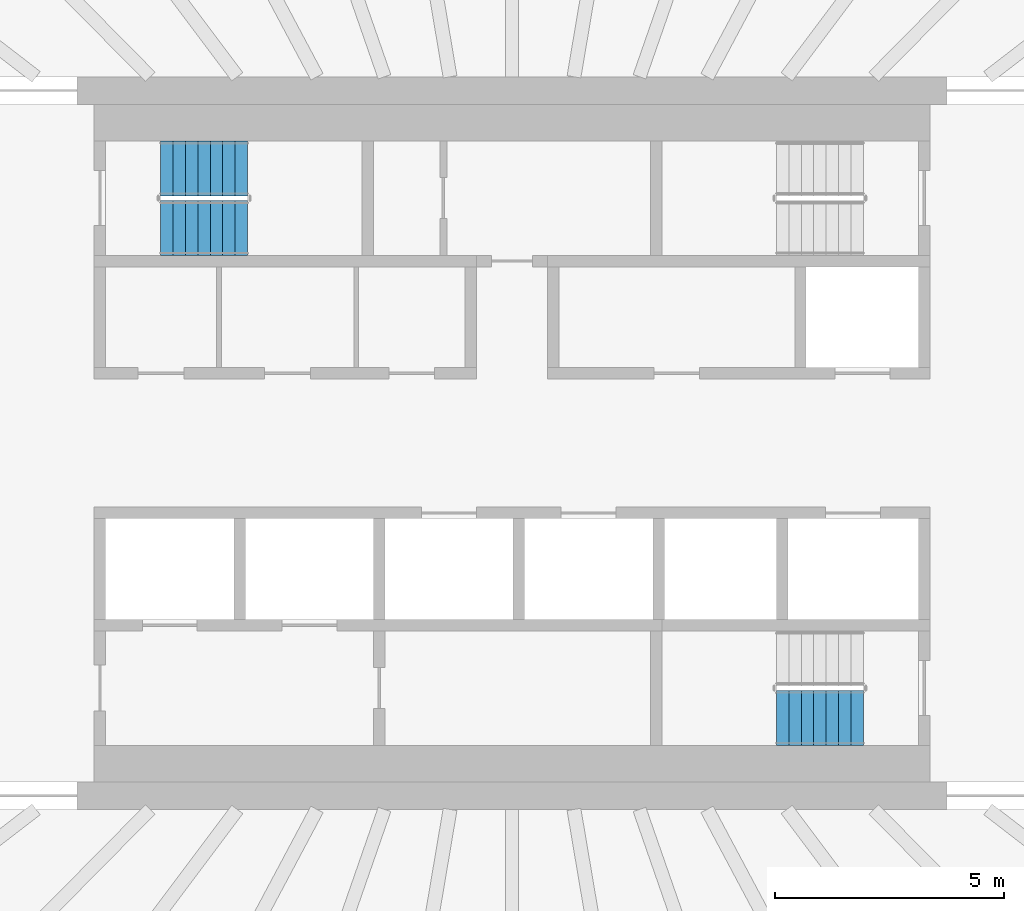
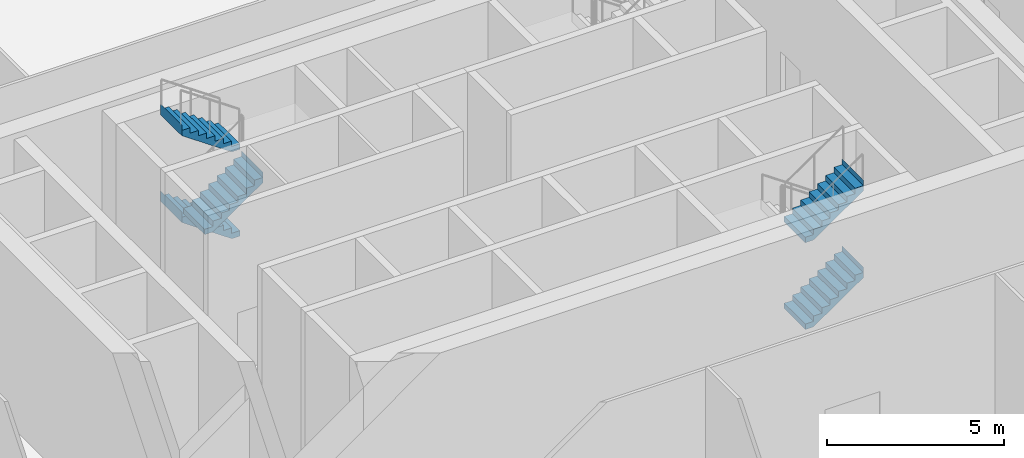
# One storey, part 30 of 37: 5 stair flights, 2 elements without a shape of their own.
"""IFC4 building model written with IfcOpenShell, lengths in metres."""

from ifc_helpers import new_model, si_unit, direction, frame, origin, place, context, subcontext, project, spatial, triangles, material, type_object, element, aggregate, save


model = new_model("IFC4")

# Units and contexts
model_context = context("Model", 3, precision=1e-05, world=origin(), true_north=direction((0.0, 1.0)))
body_context = subcontext(model_context, "Body", "Model", "MODEL_VIEW")
ifc_project = project(units=[si_unit("LENGTHUNIT", "METRE"), si_unit("AREAUNIT", "SQUARE_METRE"), si_unit("VOLUMEUNIT", "CUBIC_METRE"), si_unit("PLANEANGLEUNIT", "RADIAN"), si_unit("MASSUNIT", "GRAM", prefix="KILO")], contexts=[model_context])

# Site, building, storey
site_placement = place(None, origin())
site = spatial("IfcSite", under=ifc_project, at=site_placement, CompositionType="ELEMENT")
building_placement = place(site_placement, origin())
building = spatial("IfcBuilding", under=site, at=building_placement, Name="Sahrelin Media Tower", CompositionType="ELEMENT")
storey_placement = place(building_placement, frame((0.0, 0.0, 31.39990234375)))
storey = spatial("IfcBuildingStorey", under=building, at=storey_placement, Name="L04", CompositionType="ELEMENT", Elevation=31.39990234375)

# Stair, stair flights
ifc_material = material(Name="Concrete C40/50", Category="concrete")
stair_type = type_object("IfcStairType", Name="Exit stair 1200", PredefinedType="HALF_TURN_STAIR", material=ifc_material)
placement = place(storey_placement, origin())
stair_1 = element("IfcStair", 1, at=placement, inside=storey, type_object=stair_type, Name="L04 Exit stair ST1", PredefinedType="HALF_TURN_STAIR")
stair_flight_type = type_object("IfcStairFlightType", Name="Stair flight 1200", PredefinedType="STRAIGHT", material=ifc_material)
stair_flight_1_placement = place(storey_placement, frame((-5.77490234375, 6.0, 1.5), z_axis=(0.0, 0.0, 1.0), x_axis=(-1.0, 0.0, 0.0)))
stair_flight_1 = element("IfcStairFlight", 2, at=stair_flight_1_placement, type_object=stair_flight_type, Name="ST1 flight 2", NumberOfRisers=8, NumberOfTreads=7, PredefinedType="STRAIGHT", RiserHeight=0.1875, TreadLength=0.271428571, context=body_context, shape_type="Tessellation", body=[
    triangles([(0.263671875, 0.60009765625, 0.0), (0.263671875, 0.300048828125, 0.0), (0.263671875, 0.0, 0.0), (0.263671875, -0.300048828125, 0.0), (0.263671875, -0.60009765625, 0.0), (1.89990234375, 0.60009765625, 1.13037109375), (1.89990234375, 0.300048828125, 1.13037109375), (1.89990234375, 0.0, 1.13037109375), (1.89990234375, -0.300048828125, 1.13037109375), (1.89990234375, -0.60009765625, 1.13037109375), (1.89990234375, 0.60009765625, 1.5), (1.89990234375, 0.300048828125, 1.5), (1.89990234375, 0.0, 1.5), (1.89990234375, -0.300048828125, 1.5), (1.89990234375, -0.60009765625, 1.5), (1.89794921875, 0.60009765625, 1.5), (1.89794921875, 0.300048828125, 1.5), (1.89794921875, 0.0, 1.5), (1.89794921875, -0.300048828125, 1.5), (1.89794921875, -0.60009765625, 1.5), (1.89794921875, 0.60009765625, 1.3125), (1.89794921875, 0.300048828125, 1.3125), (1.89794921875, 0.0, 1.3125), (1.89794921875, -0.300048828125, 1.3125), (1.89794921875, -0.60009765625, 1.3125), (1.628662109375, 0.60009765625, 1.3125), (1.628662109375, 0.300048828125, 1.3125), (1.628662109375, 0.0, 1.3125), (1.628662109375, -0.300048828125, 1.3125), (1.628662109375, -0.60009765625, 1.3125), (1.628662109375, 0.60009765625, 1.125), (1.628662109375, 0.300048828125, 1.125), (1.628662109375, 0.0, 1.125), (1.628662109375, -0.300048828125, 1.125), (1.628662109375, -0.60009765625, 1.125), (1.357177734375, 0.60009765625, 1.125), (1.357177734375, 0.300048828125, 1.125), (1.357177734375, 0.0, 1.125), (1.357177734375, -0.300048828125, 1.125), (1.357177734375, -0.60009765625, 1.125), (1.357177734375, 0.60009765625, 0.9375), (1.357177734375, 0.300048828125, 0.9375), (1.357177734375, 0.0, 0.9375), (1.357177734375, -0.300048828125, 0.9375), (1.357177734375, -0.60009765625, 0.9375), (1.085693359375, 0.60009765625, 0.9375), (1.085693359375, 0.300048828125, 0.9375), (1.085693359375, 0.0, 0.9375), (1.085693359375, -0.300048828125, 0.9375), (1.085693359375, -0.60009765625, 0.9375), (1.085693359375, 0.60009765625, 0.75), (1.085693359375, 0.300048828125, 0.75), (1.085693359375, 0.0, 0.75), (1.085693359375, -0.300048828125, 0.75), (1.085693359375, -0.60009765625, 0.75), (0.814208984375, 0.60009765625, 0.75), (0.814208984375, 0.300048828125, 0.75), (0.814208984375, 0.0, 0.75), (0.814208984375, -0.300048828125, 0.75), (0.814208984375, -0.60009765625, 0.75), (0.814208984375, 0.60009765625, 0.5625), (0.814208984375, 0.300048828125, 0.5625), (0.814208984375, 0.0, 0.5625), (0.814208984375, -0.300048828125, 0.5625), (0.814208984375, -0.60009765625, 0.5625), (0.54296875, 0.60009765625, 0.5625), (0.54296875, 0.300048828125, 0.5625), (0.54296875, 0.0, 0.5625), (0.54296875, -0.300048828125, 0.5625), (0.54296875, -0.60009765625, 0.5625), (0.54296875, 0.60009765625, 0.375), (0.54296875, 0.300048828125, 0.375), (0.54296875, 0.0, 0.375), (0.54296875, -0.300048828125, 0.375), (0.54296875, -0.60009765625, 0.375), (0.271484375, 0.60009765625, 0.375), (0.271484375, 0.300048828125, 0.375), (0.271484375, 0.0, 0.375), (0.271484375, -0.300048828125, 0.375), (0.271484375, -0.60009765625, 0.375), (0.271484375, 0.60009765625, 0.1875), (0.271484375, 0.300048828125, 0.1875), (0.271484375, 0.0, 0.1875), (0.271484375, -0.300048828125, 0.1875), (0.271484375, -0.60009765625, 0.1875), (0.0, 0.60009765625, 0.1875), (0.0, 0.300048828125, 0.1875), (0.0, 0.0, 0.1875), (0.0, -0.300048828125, 0.1875), (0.0, -0.60009765625, 0.1875), (0.0, 0.60009765625, 0.0), (0.0, 0.300048828125, 0.0), (0.0, 0.0, 0.0), (0.0, -0.300048828125, 0.0), (0.0, -0.60009765625, 0.0)], [[1, 6, 7], [1, 7, 2], [2, 7, 8], [2, 8, 3], [3, 8, 9], [3, 9, 4], [4, 9, 10], [4, 10, 5], [6, 11, 12], [6, 12, 7], [7, 12, 13], [7, 13, 8], [8, 13, 14], [8, 14, 9], [9, 14, 15], [9, 15, 10], [11, 16, 17], [11, 17, 12], [12, 17, 18], [12, 18, 13], [13, 18, 19], [13, 19, 14], [14, 19, 20], [14, 20, 15], [16, 21, 22], [16, 22, 17], [17, 22, 23], [17, 23, 18], [18, 23, 24], [18, 24, 19], [19, 24, 25], [19, 25, 20], [21, 26, 27], [21, 27, 22], [22, 27, 28], [22, 28, 23], [23, 28, 29], [23, 29, 24], [24, 29, 30], [24, 30, 25], [26, 31, 32], [26, 32, 27], [27, 32, 33], [27, 33, 28], [28, 33, 34], [28, 34, 29], [29, 34, 35], [29, 35, 30], [31, 36, 37], [31, 37, 32], [32, 37, 38], [32, 38, 33], [33, 38, 39], [33, 39, 34], [34, 39, 40], [34, 40, 35], [36, 41, 42], [36, 42, 37], [37, 42, 43], [37, 43, 38], [38, 43, 44], [38, 44, 39], [39, 44, 45], [39, 45, 40], [41, 46, 47], [41, 47, 42], [42, 47, 48], [42, 48, 43], [43, 48, 49], [43, 49, 44], [44, 49, 50], [44, 50, 45], [46, 51, 52], [46, 52, 47], [47, 52, 53], [47, 53, 48], [48, 53, 54], [48, 54, 49], [49, 54, 55], [49, 55, 50], [51, 56, 57], [51, 57, 52], [52, 57, 58], [52, 58, 53], [53, 58, 59], [53, 59, 54], [54, 59, 60], [54, 60, 55], [56, 61, 62], [56, 62, 57], [57, 62, 63], [57, 63, 58], [58, 63, 64], [58, 64, 59], [59, 64, 65], [59, 65, 60], [61, 66, 67], [61, 67, 62], [62, 67, 68], [62, 68, 63], [63, 68, 69], [63, 69, 64], [64, 69, 70], [64, 70, 65], [66, 71, 72], [66, 72, 67], [67, 72, 73], [67, 73, 68], [68, 73, 74], [68, 74, 69], [69, 74, 75], [69, 75, 70], [71, 76, 77], [71, 77, 72], [72, 77, 78], [72, 78, 73], [73, 78, 79], [73, 79, 74], [74, 79, 80], [74, 80, 75], [76, 81, 82], [76, 82, 77], [77, 82, 83], [77, 83, 78], [78, 83, 84], [78, 84, 79], [79, 84, 85], [79, 85, 80], [81, 86, 87], [81, 87, 82], [82, 87, 88], [82, 88, 83], [83, 88, 89], [83, 89, 84], [84, 89, 90], [84, 90, 85], [86, 91, 92], [86, 92, 87], [87, 92, 93], [87, 93, 88], [88, 93, 94], [88, 94, 89], [89, 94, 95], [89, 95, 90], [91, 1, 2], [91, 2, 92], [92, 2, 3], [92, 3, 93], [93, 3, 4], [93, 4, 94], [94, 4, 5], [94, 5, 95], [5, 90, 95], [1, 91, 86], [85, 75, 80], [81, 76, 71], [75, 65, 70], [71, 66, 61], [65, 55, 60], [61, 56, 51], [55, 45, 50], [51, 46, 41], [45, 35, 40], [41, 36, 31], [10, 25, 30], [6, 26, 21], [25, 15, 20], [21, 16, 11], [5, 85, 90], [1, 86, 81], [55, 65, 5], [51, 1, 61], [10, 35, 45], [6, 41, 31], [25, 10, 15], [21, 11, 6], [75, 85, 5], [71, 1, 81], [45, 55, 10], [41, 6, 51], [30, 35, 10], [26, 6, 31], [65, 75, 5], [61, 1, 71], [5, 10, 55], [1, 51, 6]], closed=True),
])
stair_flight_2_placement = place(storey_placement, frame((-7.675048828125, 4.699951171875, 3.0), z_axis=(0.0, 0.0, 1.0), x_axis=(1.0, 0.0, 0.0)))
stair_flight_2 = element("IfcStairFlight", 3, at=stair_flight_2_placement, type_object=stair_flight_type, Name="ST1 flight 3", NumberOfRisers=8, NumberOfTreads=7, PredefinedType="STRAIGHT", RiserHeight=0.1875, TreadLength=0.271428571, context=body_context, shape_type="Tessellation", body=[
    triangles([(0.263671875, 0.60009765625, 0.0), (0.263671875, 0.300048828125, 0.0), (0.263671875, 0.0, 0.0), (0.263671875, -0.300048828125, 0.0), (0.263671875, -0.60009765625, 0.0), (1.89990234375, 0.60009765625, 1.13037109375), (1.89990234375, 0.300048828125, 1.13037109375), (1.89990234375, 0.0, 1.13037109375), (1.89990234375, -0.300048828125, 1.13037109375), (1.89990234375, -0.60009765625, 1.13037109375), (1.89990234375, 0.60009765625, 1.5), (1.89990234375, 0.300048828125, 1.5), (1.89990234375, 0.0, 1.5), (1.89990234375, -0.300048828125, 1.5), (1.89990234375, -0.60009765625, 1.5), (1.89794921875, 0.60009765625, 1.5), (1.89794921875, 0.300048828125, 1.5), (1.89794921875, 0.0, 1.5), (1.89794921875, -0.300048828125, 1.5), (1.89794921875, -0.60009765625, 1.5), (1.89794921875, 0.60009765625, 1.3125), (1.89794921875, 0.300048828125, 1.3125), (1.89794921875, 0.0, 1.3125), (1.89794921875, -0.300048828125, 1.3125), (1.89794921875, -0.60009765625, 1.3125), (1.628662109375, 0.60009765625, 1.3125), (1.628662109375, 0.300048828125, 1.3125), (1.628662109375, 0.0, 1.3125), (1.628662109375, -0.300048828125, 1.3125), (1.628662109375, -0.60009765625, 1.3125), (1.628662109375, 0.60009765625, 1.125), (1.628662109375, 0.300048828125, 1.125), (1.628662109375, 0.0, 1.125), (1.628662109375, -0.300048828125, 1.125), (1.628662109375, -0.60009765625, 1.125), (1.357177734375, 0.60009765625, 1.125), (1.357177734375, 0.300048828125, 1.125), (1.357177734375, 0.0, 1.125), (1.357177734375, -0.300048828125, 1.125), (1.357177734375, -0.60009765625, 1.125), (1.357177734375, 0.60009765625, 0.9375), (1.357177734375, 0.300048828125, 0.9375), (1.357177734375, 0.0, 0.9375), (1.357177734375, -0.300048828125, 0.9375), (1.357177734375, -0.60009765625, 0.9375), (1.085693359375, 0.60009765625, 0.9375), (1.085693359375, 0.300048828125, 0.9375), (1.085693359375, 0.0, 0.9375), (1.085693359375, -0.300048828125, 0.9375), (1.085693359375, -0.60009765625, 0.9375), (1.085693359375, 0.60009765625, 0.75), (1.085693359375, 0.300048828125, 0.75), (1.085693359375, 0.0, 0.75), (1.085693359375, -0.300048828125, 0.75), (1.085693359375, -0.60009765625, 0.75), (0.814208984375, 0.60009765625, 0.75), (0.814208984375, 0.300048828125, 0.75), (0.814208984375, 0.0, 0.75), (0.814208984375, -0.300048828125, 0.75), (0.814208984375, -0.60009765625, 0.75), (0.814208984375, 0.60009765625, 0.5625), (0.814208984375, 0.300048828125, 0.5625), (0.814208984375, 0.0, 0.5625), (0.814208984375, -0.300048828125, 0.5625), (0.814208984375, -0.60009765625, 0.5625), (0.54296875, 0.60009765625, 0.5625), (0.54296875, 0.300048828125, 0.5625), (0.54296875, 0.0, 0.5625), (0.54296875, -0.300048828125, 0.5625), (0.54296875, -0.60009765625, 0.5625), (0.54296875, 0.60009765625, 0.375), (0.54296875, 0.300048828125, 0.375), (0.54296875, 0.0, 0.375), (0.54296875, -0.300048828125, 0.375), (0.54296875, -0.60009765625, 0.375), (0.271484375, 0.60009765625, 0.375), (0.271484375, 0.300048828125, 0.375), (0.271484375, 0.0, 0.375), (0.271484375, -0.300048828125, 0.375), (0.271484375, -0.60009765625, 0.375), (0.271484375, 0.60009765625, 0.1875), (0.271484375, 0.300048828125, 0.1875), (0.271484375, 0.0, 0.1875), (0.271484375, -0.300048828125, 0.1875), (0.271484375, -0.60009765625, 0.1875), (0.0, 0.60009765625, 0.1875), (0.0, 0.300048828125, 0.1875), (0.0, 0.0, 0.1875), (0.0, -0.300048828125, 0.1875), (0.0, -0.60009765625, 0.1875), (0.0, 0.60009765625, 0.0), (0.0, 0.300048828125, 0.0), (0.0, 0.0, 0.0), (0.0, -0.300048828125, 0.0), (0.0, -0.60009765625, 0.0)], [[1, 6, 7], [1, 7, 2], [2, 7, 8], [2, 8, 3], [3, 8, 9], [3, 9, 4], [4, 9, 10], [4, 10, 5], [6, 11, 12], [6, 12, 7], [7, 12, 13], [7, 13, 8], [8, 13, 14], [8, 14, 9], [9, 14, 15], [9, 15, 10], [11, 16, 17], [11, 17, 12], [12, 17, 18], [12, 18, 13], [13, 18, 19], [13, 19, 14], [14, 19, 20], [14, 20, 15], [16, 21, 22], [16, 22, 17], [17, 22, 23], [17, 23, 18], [18, 23, 24], [18, 24, 19], [19, 24, 25], [19, 25, 20], [21, 26, 27], [21, 27, 22], [22, 27, 28], [22, 28, 23], [23, 28, 29], [23, 29, 24], [24, 29, 30], [24, 30, 25], [26, 31, 32], [26, 32, 27], [27, 32, 33], [27, 33, 28], [28, 33, 34], [28, 34, 29], [29, 34, 35], [29, 35, 30], [31, 36, 37], [31, 37, 32], [32, 37, 38], [32, 38, 33], [33, 38, 39], [33, 39, 34], [34, 39, 40], [34, 40, 35], [36, 41, 42], [36, 42, 37], [37, 42, 43], [37, 43, 38], [38, 43, 44], [38, 44, 39], [39, 44, 45], [39, 45, 40], [41, 46, 47], [41, 47, 42], [42, 47, 48], [42, 48, 43], [43, 48, 49], [43, 49, 44], [44, 49, 50], [44, 50, 45], [46, 51, 52], [46, 52, 47], [47, 52, 53], [47, 53, 48], [48, 53, 54], [48, 54, 49], [49, 54, 55], [49, 55, 50], [51, 56, 57], [51, 57, 52], [52, 57, 58], [52, 58, 53], [53, 58, 59], [53, 59, 54], [54, 59, 60], [54, 60, 55], [56, 61, 62], [56, 62, 57], [57, 62, 63], [57, 63, 58], [58, 63, 64], [58, 64, 59], [59, 64, 65], [59, 65, 60], [61, 66, 67], [61, 67, 62], [62, 67, 68], [62, 68, 63], [63, 68, 69], [63, 69, 64], [64, 69, 70], [64, 70, 65], [66, 71, 72], [66, 72, 67], [67, 72, 73], [67, 73, 68], [68, 73, 74], [68, 74, 69], [69, 74, 75], [69, 75, 70], [71, 76, 77], [71, 77, 72], [72, 77, 78], [72, 78, 73], [73, 78, 79], [73, 79, 74], [74, 79, 80], [74, 80, 75], [76, 81, 82], [76, 82, 77], [77, 82, 83], [77, 83, 78], [78, 83, 84], [78, 84, 79], [79, 84, 85], [79, 85, 80], [81, 86, 87], [81, 87, 82], [82, 87, 88], [82, 88, 83], [83, 88, 89], [83, 89, 84], [84, 89, 90], [84, 90, 85], [86, 91, 92], [86, 92, 87], [87, 92, 93], [87, 93, 88], [88, 93, 94], [88, 94, 89], [89, 94, 95], [89, 95, 90], [91, 1, 2], [91, 2, 92], [92, 2, 3], [92, 3, 93], [93, 3, 4], [93, 4, 94], [94, 4, 5], [94, 5, 95], [5, 90, 95], [1, 91, 86], [85, 75, 80], [81, 76, 71], [75, 65, 70], [71, 66, 61], [65, 55, 60], [61, 56, 51], [55, 45, 50], [51, 46, 41], [45, 35, 40], [41, 36, 31], [10, 25, 30], [6, 26, 21], [25, 15, 20], [21, 16, 11], [5, 85, 90], [1, 86, 81], [55, 65, 5], [51, 1, 61], [10, 35, 45], [6, 41, 31], [25, 10, 15], [21, 11, 6], [75, 85, 5], [71, 1, 81], [45, 55, 10], [41, 6, 51], [30, 35, 10], [26, 6, 31], [65, 75, 5], [61, 1, 71], [5, 10, 55], [1, 51, 6]], closed=True),
])
stair_flight_3_placement = place(storey_placement, frame((-5.77490234375, 6.0, 4.5), z_axis=(0.0, 0.0, 1.0), x_axis=(-1.0, 0.0, 0.0)))
stair_flight_3 = element("IfcStairFlight", 4, at=stair_flight_3_placement, type_object=stair_flight_type, Name="ST1 flight 4", NumberOfRisers=8, NumberOfTreads=7, PredefinedType="STRAIGHT", RiserHeight=0.1875, TreadLength=0.271428571, context=body_context, shape_type="Tessellation", body=[
    triangles([(0.263671875, 0.60009765625, 0.0), (0.263671875, 0.300048828125, 0.0), (0.263671875, 0.0, 0.0), (0.263671875, -0.300048828125, 0.0), (0.263671875, -0.60009765625, 0.0), (1.89990234375, 0.60009765625, 1.13037109375), (1.89990234375, 0.300048828125, 1.13037109375), (1.89990234375, 0.0, 1.13037109375), (1.89990234375, -0.300048828125, 1.13037109375), (1.89990234375, -0.60009765625, 1.13037109375), (1.89990234375, 0.60009765625, 1.5), (1.89990234375, 0.300048828125, 1.5), (1.89990234375, 0.0, 1.5), (1.89990234375, -0.300048828125, 1.5), (1.89990234375, -0.60009765625, 1.5), (1.89794921875, 0.60009765625, 1.5), (1.89794921875, 0.300048828125, 1.5), (1.89794921875, 0.0, 1.5), (1.89794921875, -0.300048828125, 1.5), (1.89794921875, -0.60009765625, 1.5), (1.89794921875, 0.60009765625, 1.3125), (1.89794921875, 0.300048828125, 1.3125), (1.89794921875, 0.0, 1.3125), (1.89794921875, -0.300048828125, 1.3125), (1.89794921875, -0.60009765625, 1.3125), (1.628662109375, 0.60009765625, 1.3125), (1.628662109375, 0.300048828125, 1.3125), (1.628662109375, 0.0, 1.3125), (1.628662109375, -0.300048828125, 1.3125), (1.628662109375, -0.60009765625, 1.3125), (1.628662109375, 0.60009765625, 1.125), (1.628662109375, 0.300048828125, 1.125), (1.628662109375, 0.0, 1.125), (1.628662109375, -0.300048828125, 1.125), (1.628662109375, -0.60009765625, 1.125), (1.357177734375, 0.60009765625, 1.125), (1.357177734375, 0.300048828125, 1.125), (1.357177734375, 0.0, 1.125), (1.357177734375, -0.300048828125, 1.125), (1.357177734375, -0.60009765625, 1.125), (1.357177734375, 0.60009765625, 0.9375), (1.357177734375, 0.300048828125, 0.9375), (1.357177734375, 0.0, 0.9375), (1.357177734375, -0.300048828125, 0.9375), (1.357177734375, -0.60009765625, 0.9375), (1.085693359375, 0.60009765625, 0.9375), (1.085693359375, 0.300048828125, 0.9375), (1.085693359375, 0.0, 0.9375), (1.085693359375, -0.300048828125, 0.9375), (1.085693359375, -0.60009765625, 0.9375), (1.085693359375, 0.60009765625, 0.75), (1.085693359375, 0.300048828125, 0.75), (1.085693359375, 0.0, 0.75), (1.085693359375, -0.300048828125, 0.75), (1.085693359375, -0.60009765625, 0.75), (0.814208984375, 0.60009765625, 0.75), (0.814208984375, 0.300048828125, 0.75), (0.814208984375, 0.0, 0.75), (0.814208984375, -0.300048828125, 0.75), (0.814208984375, -0.60009765625, 0.75), (0.814208984375, 0.60009765625, 0.5625), (0.814208984375, 0.300048828125, 0.5625), (0.814208984375, 0.0, 0.5625), (0.814208984375, -0.300048828125, 0.5625), (0.814208984375, -0.60009765625, 0.5625), (0.54296875, 0.60009765625, 0.5625), (0.54296875, 0.300048828125, 0.5625), (0.54296875, 0.0, 0.5625), (0.54296875, -0.300048828125, 0.5625), (0.54296875, -0.60009765625, 0.5625), (0.54296875, 0.60009765625, 0.375), (0.54296875, 0.300048828125, 0.375), (0.54296875, 0.0, 0.375), (0.54296875, -0.300048828125, 0.375), (0.54296875, -0.60009765625, 0.375), (0.271484375, 0.60009765625, 0.375), (0.271484375, 0.300048828125, 0.375), (0.271484375, 0.0, 0.375), (0.271484375, -0.300048828125, 0.375), (0.271484375, -0.60009765625, 0.375), (0.271484375, 0.60009765625, 0.1875), (0.271484375, 0.300048828125, 0.1875), (0.271484375, 0.0, 0.1875), (0.271484375, -0.300048828125, 0.1875), (0.271484375, -0.60009765625, 0.1875), (0.0, 0.60009765625, 0.1875), (0.0, 0.300048828125, 0.1875), (0.0, 0.0, 0.1875), (0.0, -0.300048828125, 0.1875), (0.0, -0.60009765625, 0.1875), (0.0, 0.60009765625, 0.0), (0.0, 0.300048828125, 0.0), (0.0, 0.0, 0.0), (0.0, -0.300048828125, 0.0), (0.0, -0.60009765625, 0.0)], [[1, 6, 7], [1, 7, 2], [2, 7, 8], [2, 8, 3], [3, 8, 9], [3, 9, 4], [4, 9, 10], [4, 10, 5], [6, 11, 12], [6, 12, 7], [7, 12, 13], [7, 13, 8], [8, 13, 14], [8, 14, 9], [9, 14, 15], [9, 15, 10], [11, 16, 17], [11, 17, 12], [12, 17, 18], [12, 18, 13], [13, 18, 19], [13, 19, 14], [14, 19, 20], [14, 20, 15], [16, 21, 22], [16, 22, 17], [17, 22, 23], [17, 23, 18], [18, 23, 24], [18, 24, 19], [19, 24, 25], [19, 25, 20], [21, 26, 27], [21, 27, 22], [22, 27, 28], [22, 28, 23], [23, 28, 29], [23, 29, 24], [24, 29, 30], [24, 30, 25], [26, 31, 32], [26, 32, 27], [27, 32, 33], [27, 33, 28], [28, 33, 34], [28, 34, 29], [29, 34, 35], [29, 35, 30], [31, 36, 37], [31, 37, 32], [32, 37, 38], [32, 38, 33], [33, 38, 39], [33, 39, 34], [34, 39, 40], [34, 40, 35], [36, 41, 42], [36, 42, 37], [37, 42, 43], [37, 43, 38], [38, 43, 44], [38, 44, 39], [39, 44, 45], [39, 45, 40], [41, 46, 47], [41, 47, 42], [42, 47, 48], [42, 48, 43], [43, 48, 49], [43, 49, 44], [44, 49, 50], [44, 50, 45], [46, 51, 52], [46, 52, 47], [47, 52, 53], [47, 53, 48], [48, 53, 54], [48, 54, 49], [49, 54, 55], [49, 55, 50], [51, 56, 57], [51, 57, 52], [52, 57, 58], [52, 58, 53], [53, 58, 59], [53, 59, 54], [54, 59, 60], [54, 60, 55], [56, 61, 62], [56, 62, 57], [57, 62, 63], [57, 63, 58], [58, 63, 64], [58, 64, 59], [59, 64, 65], [59, 65, 60], [61, 66, 67], [61, 67, 62], [62, 67, 68], [62, 68, 63], [63, 68, 69], [63, 69, 64], [64, 69, 70], [64, 70, 65], [66, 71, 72], [66, 72, 67], [67, 72, 73], [67, 73, 68], [68, 73, 74], [68, 74, 69], [69, 74, 75], [69, 75, 70], [71, 76, 77], [71, 77, 72], [72, 77, 78], [72, 78, 73], [73, 78, 79], [73, 79, 74], [74, 79, 80], [74, 80, 75], [76, 81, 82], [76, 82, 77], [77, 82, 83], [77, 83, 78], [78, 83, 84], [78, 84, 79], [79, 84, 85], [79, 85, 80], [81, 86, 87], [81, 87, 82], [82, 87, 88], [82, 88, 83], [83, 88, 89], [83, 89, 84], [84, 89, 90], [84, 90, 85], [86, 91, 92], [86, 92, 87], [87, 92, 93], [87, 93, 88], [88, 93, 94], [88, 94, 89], [89, 94, 95], [89, 95, 90], [91, 1, 2], [91, 2, 92], [92, 2, 3], [92, 3, 93], [93, 3, 4], [93, 4, 94], [94, 4, 5], [94, 5, 95], [5, 90, 95], [1, 91, 86], [85, 75, 80], [81, 76, 71], [75, 65, 70], [71, 66, 61], [65, 55, 60], [61, 56, 51], [55, 45, 50], [51, 46, 41], [45, 35, 40], [41, 36, 31], [10, 25, 30], [6, 26, 21], [25, 15, 20], [21, 16, 11], [5, 85, 90], [1, 86, 81], [55, 65, 5], [51, 1, 61], [10, 35, 45], [6, 41, 31], [25, 10, 15], [21, 11, 6], [75, 85, 5], [71, 1, 81], [45, 55, 10], [41, 6, 51], [30, 35, 10], [26, 6, 31], [65, 75, 5], [61, 1, 71], [5, 10, 55], [1, 51, 6]], closed=True),
])
aggregate(stair_1, [stair_flight_1, stair_flight_2, stair_flight_3])

stair_2 = element("IfcStair", 5, at=placement, inside=storey, type_object=stair_type, Name="L04 Exit stair ST2", PredefinedType="HALF_TURN_STAIR")
stair_flight_4_placement = place(storey_placement, frame((5.77490234375, -6.0, 1.5), z_axis=(0.0, 0.0, 1.0), x_axis=(1.0, 0.0, 0.0)))
stair_flight_4 = element("IfcStairFlight", 6, at=stair_flight_4_placement, type_object=stair_flight_type, Name="ST2 flight 2", NumberOfRisers=8, NumberOfTreads=7, PredefinedType="STRAIGHT", RiserHeight=0.1875, TreadLength=0.271428571, context=body_context, shape_type="Tessellation", body=[
    triangles([(0.263671875, 0.60009765625, 0.0), (0.263671875, 0.300048828125, 0.0), (0.263671875, 0.0, 0.0), (0.263671875, -0.300048828125, 0.0), (0.263671875, -0.60009765625, 0.0), (1.89990234375, 0.60009765625, 1.13037109375), (1.89990234375, 0.300048828125, 1.13037109375), (1.89990234375, 0.0, 1.13037109375), (1.89990234375, -0.300048828125, 1.13037109375), (1.89990234375, -0.60009765625, 1.13037109375), (1.89990234375, 0.60009765625, 1.5), (1.89990234375, 0.300048828125, 1.5), (1.89990234375, 0.0, 1.5), (1.89990234375, -0.300048828125, 1.5), (1.89990234375, -0.60009765625, 1.5), (1.89794921875, 0.60009765625, 1.5), (1.89794921875, 0.300048828125, 1.5), (1.89794921875, 0.0, 1.5), (1.89794921875, -0.300048828125, 1.5), (1.89794921875, -0.60009765625, 1.5), (1.89794921875, 0.60009765625, 1.3125), (1.89794921875, 0.300048828125, 1.3125), (1.89794921875, 0.0, 1.3125), (1.89794921875, -0.300048828125, 1.3125), (1.89794921875, -0.60009765625, 1.3125), (1.628662109375, 0.60009765625, 1.3125), (1.628662109375, 0.300048828125, 1.3125), (1.628662109375, 0.0, 1.3125), (1.628662109375, -0.300048828125, 1.3125), (1.628662109375, -0.60009765625, 1.3125), (1.628662109375, 0.60009765625, 1.125), (1.628662109375, 0.300048828125, 1.125), (1.628662109375, 0.0, 1.125), (1.628662109375, -0.300048828125, 1.125), (1.628662109375, -0.60009765625, 1.125), (1.357177734375, 0.60009765625, 1.125), (1.357177734375, 0.300048828125, 1.125), (1.357177734375, 0.0, 1.125), (1.357177734375, -0.300048828125, 1.125), (1.357177734375, -0.60009765625, 1.125), (1.357177734375, 0.60009765625, 0.9375), (1.357177734375, 0.300048828125, 0.9375), (1.357177734375, 0.0, 0.9375), (1.357177734375, -0.300048828125, 0.9375), (1.357177734375, -0.60009765625, 0.9375), (1.085693359375, 0.60009765625, 0.9375), (1.085693359375, 0.300048828125, 0.9375), (1.085693359375, 0.0, 0.9375), (1.085693359375, -0.300048828125, 0.9375), (1.085693359375, -0.60009765625, 0.9375), (1.085693359375, 0.60009765625, 0.75), (1.085693359375, 0.300048828125, 0.75), (1.085693359375, 0.0, 0.75), (1.085693359375, -0.300048828125, 0.75), (1.085693359375, -0.60009765625, 0.75), (0.814208984375, 0.60009765625, 0.75), (0.814208984375, 0.300048828125, 0.75), (0.814208984375, 0.0, 0.75), (0.814208984375, -0.300048828125, 0.75), (0.814208984375, -0.60009765625, 0.75), (0.814208984375, 0.60009765625, 0.5625), (0.814208984375, 0.300048828125, 0.5625), (0.814208984375, 0.0, 0.5625), (0.814208984375, -0.300048828125, 0.5625), (0.814208984375, -0.60009765625, 0.5625), (0.54296875, 0.60009765625, 0.5625), (0.54296875, 0.300048828125, 0.5625), (0.54296875, 0.0, 0.5625), (0.54296875, -0.300048828125, 0.5625), (0.54296875, -0.60009765625, 0.5625), (0.54296875, 0.60009765625, 0.375), (0.54296875, 0.300048828125, 0.375), (0.54296875, 0.0, 0.375), (0.54296875, -0.300048828125, 0.375), (0.54296875, -0.60009765625, 0.375), (0.271484375, 0.60009765625, 0.375), (0.271484375, 0.300048828125, 0.375), (0.271484375, 0.0, 0.375), (0.271484375, -0.300048828125, 0.375), (0.271484375, -0.60009765625, 0.375), (0.271484375, 0.60009765625, 0.1875), (0.271484375, 0.300048828125, 0.1875), (0.271484375, 0.0, 0.1875), (0.271484375, -0.300048828125, 0.1875), (0.271484375, -0.60009765625, 0.1875), (0.0, 0.60009765625, 0.1875), (0.0, 0.300048828125, 0.1875), (0.0, 0.0, 0.1875), (0.0, -0.300048828125, 0.1875), (0.0, -0.60009765625, 0.1875), (0.0, 0.60009765625, 0.0), (0.0, 0.300048828125, 0.0), (0.0, 0.0, 0.0), (0.0, -0.300048828125, 0.0), (0.0, -0.60009765625, 0.0)], [[1, 6, 7], [1, 7, 2], [2, 7, 8], [2, 8, 3], [3, 8, 9], [3, 9, 4], [4, 9, 10], [4, 10, 5], [6, 11, 12], [6, 12, 7], [7, 12, 13], [7, 13, 8], [8, 13, 14], [8, 14, 9], [9, 14, 15], [9, 15, 10], [11, 16, 17], [11, 17, 12], [12, 17, 18], [12, 18, 13], [13, 18, 19], [13, 19, 14], [14, 19, 20], [14, 20, 15], [16, 21, 22], [16, 22, 17], [17, 22, 23], [17, 23, 18], [18, 23, 24], [18, 24, 19], [19, 24, 25], [19, 25, 20], [21, 26, 27], [21, 27, 22], [22, 27, 28], [22, 28, 23], [23, 28, 29], [23, 29, 24], [24, 29, 30], [24, 30, 25], [26, 31, 32], [26, 32, 27], [27, 32, 33], [27, 33, 28], [28, 33, 34], [28, 34, 29], [29, 34, 35], [29, 35, 30], [31, 36, 37], [31, 37, 32], [32, 37, 38], [32, 38, 33], [33, 38, 39], [33, 39, 34], [34, 39, 40], [34, 40, 35], [36, 41, 42], [36, 42, 37], [37, 42, 43], [37, 43, 38], [38, 43, 44], [38, 44, 39], [39, 44, 45], [39, 45, 40], [41, 46, 47], [41, 47, 42], [42, 47, 48], [42, 48, 43], [43, 48, 49], [43, 49, 44], [44, 49, 50], [44, 50, 45], [46, 51, 52], [46, 52, 47], [47, 52, 53], [47, 53, 48], [48, 53, 54], [48, 54, 49], [49, 54, 55], [49, 55, 50], [51, 56, 57], [51, 57, 52], [52, 57, 58], [52, 58, 53], [53, 58, 59], [53, 59, 54], [54, 59, 60], [54, 60, 55], [56, 61, 62], [56, 62, 57], [57, 62, 63], [57, 63, 58], [58, 63, 64], [58, 64, 59], [59, 64, 65], [59, 65, 60], [61, 66, 67], [61, 67, 62], [62, 67, 68], [62, 68, 63], [63, 68, 69], [63, 69, 64], [64, 69, 70], [64, 70, 65], [66, 71, 72], [66, 72, 67], [67, 72, 73], [67, 73, 68], [68, 73, 74], [68, 74, 69], [69, 74, 75], [69, 75, 70], [71, 76, 77], [71, 77, 72], [72, 77, 78], [72, 78, 73], [73, 78, 79], [73, 79, 74], [74, 79, 80], [74, 80, 75], [76, 81, 82], [76, 82, 77], [77, 82, 83], [77, 83, 78], [78, 83, 84], [78, 84, 79], [79, 84, 85], [79, 85, 80], [81, 86, 87], [81, 87, 82], [82, 87, 88], [82, 88, 83], [83, 88, 89], [83, 89, 84], [84, 89, 90], [84, 90, 85], [86, 91, 92], [86, 92, 87], [87, 92, 93], [87, 93, 88], [88, 93, 94], [88, 94, 89], [89, 94, 95], [89, 95, 90], [91, 1, 2], [91, 2, 92], [92, 2, 3], [92, 3, 93], [93, 3, 4], [93, 4, 94], [94, 4, 5], [94, 5, 95], [5, 90, 95], [1, 91, 86], [85, 75, 80], [81, 76, 71], [75, 65, 70], [71, 66, 61], [65, 55, 60], [61, 56, 51], [55, 45, 50], [51, 46, 41], [45, 35, 40], [41, 36, 31], [10, 25, 30], [6, 26, 21], [25, 15, 20], [21, 16, 11], [5, 85, 90], [1, 86, 81], [55, 65, 5], [51, 1, 61], [10, 35, 45], [6, 41, 31], [25, 10, 15], [21, 11, 6], [75, 85, 5], [71, 1, 81], [45, 55, 10], [41, 6, 51], [30, 35, 10], [26, 6, 31], [65, 75, 5], [61, 1, 71], [5, 10, 55], [1, 51, 6]], closed=True),
])
stair_flight_5_placement = place(storey_placement, frame((5.77490234375, -6.0, 4.5), z_axis=(0.0, 0.0, 1.0), x_axis=(1.0, 0.0, 0.0)))
stair_flight_5 = element("IfcStairFlight", 7, at=stair_flight_5_placement, type_object=stair_flight_type, Name="ST2 flight 4", NumberOfRisers=8, NumberOfTreads=7, PredefinedType="STRAIGHT", RiserHeight=0.1875, TreadLength=0.271428571, context=body_context, shape_type="Tessellation", body=[
    triangles([(0.263671875, 0.60009765625, 0.0), (0.263671875, 0.300048828125, 0.0), (0.263671875, 0.0, 0.0), (0.263671875, -0.300048828125, 0.0), (0.263671875, -0.60009765625, 0.0), (1.89990234375, 0.60009765625, 1.13037109375), (1.89990234375, 0.300048828125, 1.13037109375), (1.89990234375, 0.0, 1.13037109375), (1.89990234375, -0.300048828125, 1.13037109375), (1.89990234375, -0.60009765625, 1.13037109375), (1.89990234375, 0.60009765625, 1.5), (1.89990234375, 0.300048828125, 1.5), (1.89990234375, 0.0, 1.5), (1.89990234375, -0.300048828125, 1.5), (1.89990234375, -0.60009765625, 1.5), (1.89794921875, 0.60009765625, 1.5), (1.89794921875, 0.300048828125, 1.5), (1.89794921875, 0.0, 1.5), (1.89794921875, -0.300048828125, 1.5), (1.89794921875, -0.60009765625, 1.5), (1.89794921875, 0.60009765625, 1.3125), (1.89794921875, 0.300048828125, 1.3125), (1.89794921875, 0.0, 1.3125), (1.89794921875, -0.300048828125, 1.3125), (1.89794921875, -0.60009765625, 1.3125), (1.628662109375, 0.60009765625, 1.3125), (1.628662109375, 0.300048828125, 1.3125), (1.628662109375, 0.0, 1.3125), (1.628662109375, -0.300048828125, 1.3125), (1.628662109375, -0.60009765625, 1.3125), (1.628662109375, 0.60009765625, 1.125), (1.628662109375, 0.300048828125, 1.125), (1.628662109375, 0.0, 1.125), (1.628662109375, -0.300048828125, 1.125), (1.628662109375, -0.60009765625, 1.125), (1.357177734375, 0.60009765625, 1.125), (1.357177734375, 0.300048828125, 1.125), (1.357177734375, 0.0, 1.125), (1.357177734375, -0.300048828125, 1.125), (1.357177734375, -0.60009765625, 1.125), (1.357177734375, 0.60009765625, 0.9375), (1.357177734375, 0.300048828125, 0.9375), (1.357177734375, 0.0, 0.9375), (1.357177734375, -0.300048828125, 0.9375), (1.357177734375, -0.60009765625, 0.9375), (1.085693359375, 0.60009765625, 0.9375), (1.085693359375, 0.300048828125, 0.9375), (1.085693359375, 0.0, 0.9375), (1.085693359375, -0.300048828125, 0.9375), (1.085693359375, -0.60009765625, 0.9375), (1.085693359375, 0.60009765625, 0.75), (1.085693359375, 0.300048828125, 0.75), (1.085693359375, 0.0, 0.75), (1.085693359375, -0.300048828125, 0.75), (1.085693359375, -0.60009765625, 0.75), (0.814208984375, 0.60009765625, 0.75), (0.814208984375, 0.300048828125, 0.75), (0.814208984375, 0.0, 0.75), (0.814208984375, -0.300048828125, 0.75), (0.814208984375, -0.60009765625, 0.75), (0.814208984375, 0.60009765625, 0.5625), (0.814208984375, 0.300048828125, 0.5625), (0.814208984375, 0.0, 0.5625), (0.814208984375, -0.300048828125, 0.5625), (0.814208984375, -0.60009765625, 0.5625), (0.54296875, 0.60009765625, 0.5625), (0.54296875, 0.300048828125, 0.5625), (0.54296875, 0.0, 0.5625), (0.54296875, -0.300048828125, 0.5625), (0.54296875, -0.60009765625, 0.5625), (0.54296875, 0.60009765625, 0.375), (0.54296875, 0.300048828125, 0.375), (0.54296875, 0.0, 0.375), (0.54296875, -0.300048828125, 0.375), (0.54296875, -0.60009765625, 0.375), (0.271484375, 0.60009765625, 0.375), (0.271484375, 0.300048828125, 0.375), (0.271484375, 0.0, 0.375), (0.271484375, -0.300048828125, 0.375), (0.271484375, -0.60009765625, 0.375), (0.271484375, 0.60009765625, 0.1875), (0.271484375, 0.300048828125, 0.1875), (0.271484375, 0.0, 0.1875), (0.271484375, -0.300048828125, 0.1875), (0.271484375, -0.60009765625, 0.1875), (0.0, 0.60009765625, 0.1875), (0.0, 0.300048828125, 0.1875), (0.0, 0.0, 0.1875), (0.0, -0.300048828125, 0.1875), (0.0, -0.60009765625, 0.1875), (0.0, 0.60009765625, 0.0), (0.0, 0.300048828125, 0.0), (0.0, 0.0, 0.0), (0.0, -0.300048828125, 0.0), (0.0, -0.60009765625, 0.0)], [[1, 6, 7], [1, 7, 2], [2, 7, 8], [2, 8, 3], [3, 8, 9], [3, 9, 4], [4, 9, 10], [4, 10, 5], [6, 11, 12], [6, 12, 7], [7, 12, 13], [7, 13, 8], [8, 13, 14], [8, 14, 9], [9, 14, 15], [9, 15, 10], [11, 16, 17], [11, 17, 12], [12, 17, 18], [12, 18, 13], [13, 18, 19], [13, 19, 14], [14, 19, 20], [14, 20, 15], [16, 21, 22], [16, 22, 17], [17, 22, 23], [17, 23, 18], [18, 23, 24], [18, 24, 19], [19, 24, 25], [19, 25, 20], [21, 26, 27], [21, 27, 22], [22, 27, 28], [22, 28, 23], [23, 28, 29], [23, 29, 24], [24, 29, 30], [24, 30, 25], [26, 31, 32], [26, 32, 27], [27, 32, 33], [27, 33, 28], [28, 33, 34], [28, 34, 29], [29, 34, 35], [29, 35, 30], [31, 36, 37], [31, 37, 32], [32, 37, 38], [32, 38, 33], [33, 38, 39], [33, 39, 34], [34, 39, 40], [34, 40, 35], [36, 41, 42], [36, 42, 37], [37, 42, 43], [37, 43, 38], [38, 43, 44], [38, 44, 39], [39, 44, 45], [39, 45, 40], [41, 46, 47], [41, 47, 42], [42, 47, 48], [42, 48, 43], [43, 48, 49], [43, 49, 44], [44, 49, 50], [44, 50, 45], [46, 51, 52], [46, 52, 47], [47, 52, 53], [47, 53, 48], [48, 53, 54], [48, 54, 49], [49, 54, 55], [49, 55, 50], [51, 56, 57], [51, 57, 52], [52, 57, 58], [52, 58, 53], [53, 58, 59], [53, 59, 54], [54, 59, 60], [54, 60, 55], [56, 61, 62], [56, 62, 57], [57, 62, 63], [57, 63, 58], [58, 63, 64], [58, 64, 59], [59, 64, 65], [59, 65, 60], [61, 66, 67], [61, 67, 62], [62, 67, 68], [62, 68, 63], [63, 68, 69], [63, 69, 64], [64, 69, 70], [64, 70, 65], [66, 71, 72], [66, 72, 67], [67, 72, 73], [67, 73, 68], [68, 73, 74], [68, 74, 69], [69, 74, 75], [69, 75, 70], [71, 76, 77], [71, 77, 72], [72, 77, 78], [72, 78, 73], [73, 78, 79], [73, 79, 74], [74, 79, 80], [74, 80, 75], [76, 81, 82], [76, 82, 77], [77, 82, 83], [77, 83, 78], [78, 83, 84], [78, 84, 79], [79, 84, 85], [79, 85, 80], [81, 86, 87], [81, 87, 82], [82, 87, 88], [82, 88, 83], [83, 88, 89], [83, 89, 84], [84, 89, 90], [84, 90, 85], [86, 91, 92], [86, 92, 87], [87, 92, 93], [87, 93, 88], [88, 93, 94], [88, 94, 89], [89, 94, 95], [89, 95, 90], [91, 1, 2], [91, 2, 92], [92, 2, 3], [92, 3, 93], [93, 3, 4], [93, 4, 94], [94, 4, 5], [94, 5, 95], [5, 90, 95], [1, 91, 86], [85, 75, 80], [81, 76, 71], [75, 65, 70], [71, 66, 61], [65, 55, 60], [61, 56, 51], [55, 45, 50], [51, 46, 41], [45, 35, 40], [41, 36, 31], [10, 25, 30], [6, 26, 21], [25, 15, 20], [21, 16, 11], [5, 85, 90], [1, 86, 81], [55, 65, 5], [51, 1, 61], [10, 35, 45], [6, 41, 31], [25, 10, 15], [21, 11, 6], [75, 85, 5], [71, 1, 81], [45, 55, 10], [41, 6, 51], [30, 35, 10], [26, 6, 31], [65, 75, 5], [61, 1, 71], [5, 10, 55], [1, 51, 6]], closed=True),
])
aggregate(stair_2, [stair_flight_4, stair_flight_5])

save(model, "model.ifc")
